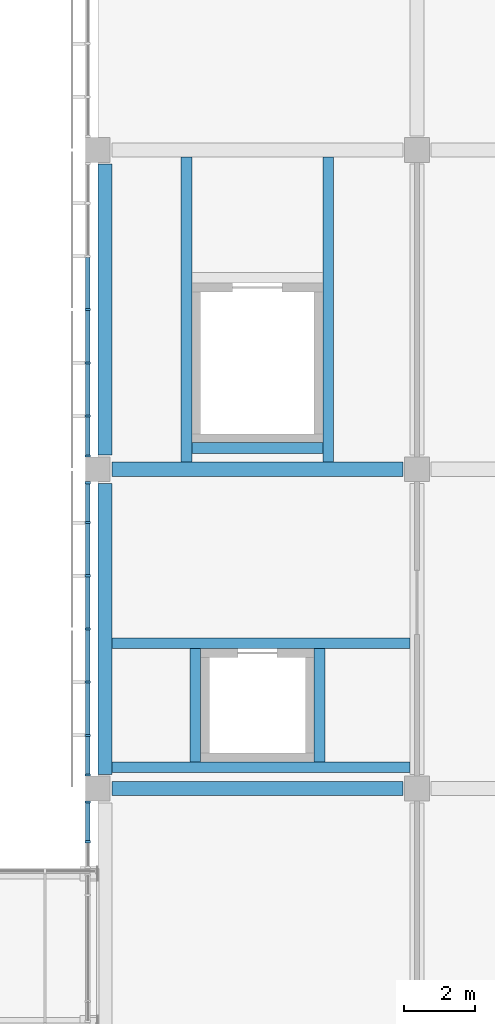
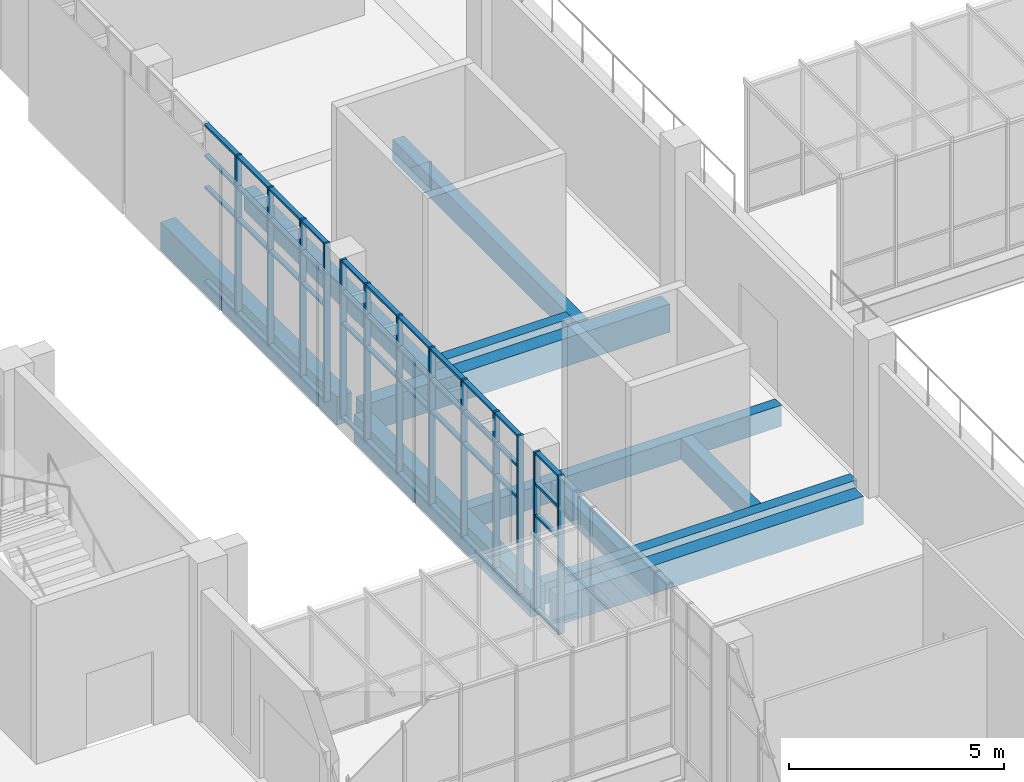
# One storey, part 20 of 106: 57 members, 11 beams, 3 elements without a shape of their own.
"""IFC4 building model written with IfcOpenShell, lengths in metres."""

from ifc_helpers import new_model, si_unit, direction, frame, origin, origin_2d, place, context, subcontext, project, spatial, rectangle, extrude, material, layer, layer_set, material_profile, profile_set, type_object, element, aggregate, save


model = new_model("IFC4")

# Units and contexts
model_context = context("Model", 3, precision=1e-05, world=origin(), true_north=direction((0.0, 1.0)))
body_context = subcontext(model_context, "Body", "Model", "MODEL_VIEW")
ifc_project = project(units=[si_unit("LENGTHUNIT", "METRE"), si_unit("AREAUNIT", "SQUARE_METRE"), si_unit("VOLUMEUNIT", "CUBIC_METRE"), si_unit("PLANEANGLEUNIT", "RADIAN"), si_unit("MASSUNIT", "GRAM", prefix="KILO")], contexts=[model_context])

# Site, building, storey
site_placement = place(None, origin())
site = spatial("IfcSite", under=ifc_project, at=site_placement, CompositionType="ELEMENT")
building_placement = place(site_placement, origin())
building = spatial("IfcBuilding", under=site, at=building_placement, Name="Guidao Yard Department Store", CompositionType="ELEMENT")
storey_placement = place(building_placement, frame((0.0, 0.0, 10.5)))
storey = spatial("IfcBuildingStorey", under=building, at=storey_placement, Name="L02", CompositionType="ELEMENT", Elevation=10.5)

# Beams
ifc_material_1 = material(Name="Concrete C40", Category="concrete")
ifc_material_profile_1 = material_profile(ifc_material_1, rectangle(XDim=0.39990234375, YDim=0.800048828125, at=origin_2d()), Name="Edge beam 400 x 800 C40")
ifc_profile_set_1 = profile_set([ifc_material_profile_1], Name="Concrete C40")
beam_type_1 = type_object("IfcBeamType", Name="Edge beam 400 x 800 C40", PredefinedType="BEAM", material=ifc_profile_set_1)
for number, where, z_axis, x_axis, name in (
    (1, (72.199951171875, 81.39990234375, -0.39990234375), (0.0, 1.0, 0.0), (-1.0, 0.0, 0.0), "Beam EB30"),
    (2, (72.199951171875, 90.39990234375, -0.39990234375), (0.0, 1.0, 0.0), (-1.0, 0.0, 0.0), "Beam EB31"),
    (3, (72.39990234375, 81.0, -0.39990234375), (1.0, 0.0, 0.0), (0.0, 1.0, 0.0), "Beam EB80"),
    (4, (72.39990234375, 90.0, -0.39990234375), (1.0, 0.0, 0.0), (0.0, 1.0, 0.0), "Beam EB81"),
):
    element("IfcBeam", number, at=place(storey_placement, frame(where, z_axis=z_axis, x_axis=x_axis)), inside=storey, type_object=beam_type_1, Name=name, PredefinedType="BEAM", context=body_context, shape_type="SweptSolid", body=[
        extrude(rectangle(XDim=0.39990234375, YDim=0.800048828125, at=origin_2d()), origin(), (0.0, 0.0, 1.0), 8.2001953125),
    ])

# Curtain wall, members
ifc_material_2 = material(Name="Aluminium and glass", Category="aluminium")
ifc_layer = layer(ifc_material_2, 0.159912109375)
ifc_layer_set = layer_set([ifc_layer], Name="Shopfront curtain wall CW1 1500 module")
curtain_wall_type = type_object("IfcCurtainWallType", Name="Shopfront curtain wall CW1 1500 module", PredefinedType="NOTDEFINED", material=ifc_layer_set)
curtain_wall_1_placement = place(storey_placement, origin())
curtain_wall_1 = element("IfcCurtainWall", 5, at=curtain_wall_1_placement, inside=storey, type_object=curtain_wall_type, Name="Arcade shop front", PredefinedType="NOTDEFINED")
ifc_material_3 = material(Name="Aluminium 6063-T5", Category="aluminium")
ifc_material_profile_2 = material_profile(ifc_material_3, rectangle(XDim=0.06005859375, YDim=0.159912109375, at=origin_2d()), Name="Mullion M1 60 x 160 aluminium pressure plate")
ifc_profile_set_2 = profile_set([ifc_material_profile_2], Name="Aluminium 6063-T5")
member_type_1 = type_object("IfcMemberType", Name="Mullion M1 60 x 160 aluminium pressure plate", PredefinedType="MULLION", material=ifc_profile_set_2)
member_1_placement = place(storey_placement, frame((71.719970703125, 79.5, 0.0), z_axis=(0.0, 0.0, 1.0), x_axis=(0.0, 1.0, 0.0)))
member_1 = element("IfcMember", 6, at=member_1_placement, type_object=member_type_1, Name="CW-AS-L02-10 mullion 2", PredefinedType="MULLION", context=body_context, shape_type="SweptSolid", body=[
    extrude(rectangle(XDim=0.06005859375, YDim=0.159912109375, at=origin_2d()), origin(), (0.0, 0.0, 1.0), 4.5),
])
member_2_placement = place(storey_placement, frame((71.719970703125, 80.6201171875, 0.0), z_axis=(0.0, 0.0, 1.0), x_axis=(0.0, 1.0, 0.0)))
member_2 = element("IfcMember", 7, at=member_2_placement, type_object=member_type_1, Name="CW-AS-L02-10 mullion 3", PredefinedType="MULLION", context=body_context, shape_type="SweptSolid", body=[
    extrude(rectangle(XDim=0.06005859375, YDim=0.159912109375, at=origin_2d()), origin(), (0.0, 0.0, 1.0), 4.5),
])

curtain_wall_2_placement = place(storey_placement, origin())
curtain_wall_2 = element("IfcCurtainWall", 8, at=curtain_wall_2_placement, inside=storey, type_object=curtain_wall_type, Name="Arcade shop front", PredefinedType="NOTDEFINED")
member_3_placement = place(storey_placement, frame((71.719970703125, 81.3798828125, 0.0), z_axis=(0.0, 0.0, 1.0), x_axis=(0.0, 1.0, 0.0)))
member_3 = element("IfcMember", 9, at=member_3_placement, type_object=member_type_1, Name="CW-AS-L02-11 mullion 1", PredefinedType="MULLION", context=body_context, shape_type="SweptSolid", body=[
    extrude(rectangle(XDim=0.06005859375, YDim=0.159912109375, at=origin_2d()), origin(), (0.0, 0.0, 1.0), 4.5),
])
member_4_placement = place(storey_placement, frame((71.719970703125, 82.5, 0.0), z_axis=(0.0, 0.0, 1.0), x_axis=(0.0, 1.0, 0.0)))
member_4 = element("IfcMember", 10, at=member_4_placement, type_object=member_type_1, Name="CW-AS-L02-11 mullion 2", PredefinedType="MULLION", context=body_context, shape_type="SweptSolid", body=[
    extrude(rectangle(XDim=0.06005859375, YDim=0.159912109375, at=origin_2d()), origin(), (0.0, 0.0, 1.0), 4.5),
])
member_5_placement = place(storey_placement, frame((71.719970703125, 84.0, 0.0), z_axis=(0.0, 0.0, 1.0), x_axis=(0.0, 1.0, 0.0)))
member_5 = element("IfcMember", 11, at=member_5_placement, type_object=member_type_1, Name="CW-AS-L02-11 mullion 3", PredefinedType="MULLION", context=body_context, shape_type="SweptSolid", body=[
    extrude(rectangle(XDim=0.06005859375, YDim=0.159912109375, at=origin_2d()), origin(), (0.0, 0.0, 1.0), 4.5),
])
member_6_placement = place(storey_placement, frame((71.719970703125, 85.5, 0.0), z_axis=(0.0, 0.0, 1.0), x_axis=(0.0, 1.0, 0.0)))
member_6 = element("IfcMember", 12, at=member_6_placement, type_object=member_type_1, Name="CW-AS-L02-11 mullion 4", PredefinedType="MULLION", context=body_context, shape_type="SweptSolid", body=[
    extrude(rectangle(XDim=0.06005859375, YDim=0.159912109375, at=origin_2d()), origin(), (0.0, 0.0, 1.0), 4.5),
])
member_7_placement = place(storey_placement, frame((71.719970703125, 87.0, 0.0), z_axis=(0.0, 0.0, 1.0), x_axis=(0.0, 1.0, 0.0)))
member_7 = element("IfcMember", 13, at=member_7_placement, type_object=member_type_1, Name="CW-AS-L02-11 mullion 5", PredefinedType="MULLION", context=body_context, shape_type="SweptSolid", body=[
    extrude(rectangle(XDim=0.06005859375, YDim=0.159912109375, at=origin_2d()), origin(), (0.0, 0.0, 1.0), 4.5),
])
member_8_placement = place(storey_placement, frame((71.719970703125, 88.5, 0.0), z_axis=(0.0, 0.0, 1.0), x_axis=(0.0, 1.0, 0.0)))
member_8 = element("IfcMember", 14, at=member_8_placement, type_object=member_type_1, Name="CW-AS-L02-11 mullion 6", PredefinedType="MULLION", context=body_context, shape_type="SweptSolid", body=[
    extrude(rectangle(XDim=0.06005859375, YDim=0.159912109375, at=origin_2d()), origin(), (0.0, 0.0, 1.0), 4.5),
])
member_9_placement = place(storey_placement, frame((71.719970703125, 89.6201171875, 0.0), z_axis=(0.0, 0.0, 1.0), x_axis=(0.0, 1.0, 0.0)))
member_9 = element("IfcMember", 15, at=member_9_placement, type_object=member_type_1, Name="CW-AS-L02-11 mullion 7", PredefinedType="MULLION", context=body_context, shape_type="SweptSolid", body=[
    extrude(rectangle(XDim=0.06005859375, YDim=0.159912109375, at=origin_2d()), origin(), (0.0, 0.0, 1.0), 4.5),
])

curtain_wall_3_placement = place(storey_placement, origin())
curtain_wall_3 = element("IfcCurtainWall", 16, at=curtain_wall_3_placement, inside=storey, type_object=curtain_wall_type, Name="Arcade shop front", PredefinedType="NOTDEFINED")
member_10_placement = place(storey_placement, frame((71.719970703125, 90.3798828125, 0.0), z_axis=(0.0, 0.0, 1.0), x_axis=(0.0, 1.0, 0.0)))
member_10 = element("IfcMember", 17, at=member_10_placement, type_object=member_type_1, Name="CW-AS-L02-12 mullion 1", PredefinedType="MULLION", context=body_context, shape_type="SweptSolid", body=[
    extrude(rectangle(XDim=0.06005859375, YDim=0.159912109375, at=origin_2d()), origin(), (0.0, 0.0, 1.0), 4.5),
])
member_11_placement = place(storey_placement, frame((71.719970703125, 91.5, 0.0), z_axis=(0.0, 0.0, 1.0), x_axis=(0.0, 1.0, 0.0)))
member_11 = element("IfcMember", 18, at=member_11_placement, type_object=member_type_1, Name="CW-AS-L02-12 mullion 2", PredefinedType="MULLION", context=body_context, shape_type="SweptSolid", body=[
    extrude(rectangle(XDim=0.06005859375, YDim=0.159912109375, at=origin_2d()), origin(), (0.0, 0.0, 1.0), 4.5),
])
member_12_placement = place(storey_placement, frame((71.719970703125, 93.0, 0.0), z_axis=(0.0, 0.0, 1.0), x_axis=(0.0, 1.0, 0.0)))
member_12 = element("IfcMember", 19, at=member_12_placement, type_object=member_type_1, Name="CW-AS-L02-12 mullion 3", PredefinedType="MULLION", context=body_context, shape_type="SweptSolid", body=[
    extrude(rectangle(XDim=0.06005859375, YDim=0.159912109375, at=origin_2d()), origin(), (0.0, 0.0, 1.0), 4.5),
])
member_13_placement = place(storey_placement, frame((71.719970703125, 94.5, 0.0), z_axis=(0.0, 0.0, 1.0), x_axis=(0.0, 1.0, 0.0)))
member_13 = element("IfcMember", 20, at=member_13_placement, type_object=member_type_1, Name="CW-AS-L02-12 mullion 4", PredefinedType="MULLION", context=body_context, shape_type="SweptSolid", body=[
    extrude(rectangle(XDim=0.06005859375, YDim=0.159912109375, at=origin_2d()), origin(), (0.0, 0.0, 1.0), 4.5),
])

# Beams
ifc_material_4 = material(Name="Concrete C40", Category="concrete")
ifc_material_profile_3 = material_profile(ifc_material_4, rectangle(XDim=0.300048828125, YDim=0.60009765625, at=origin_2d()), Name="Opening beam 300 x 600 C40")
ifc_profile_set_3 = profile_set([ifc_material_profile_3], Name="Concrete C40")
beam_type_2 = type_object("IfcBeamType", Name="Opening beam 300 x 600 C40", PredefinedType="BEAM", material=ifc_profile_set_3)
for number, where, z_axis, x_axis, name in (
    (21, (72.39990234375, 81.60009765625, -0.300048828125), (1.0, 0.0, 0.0), (0.0, 1.0, 0.0), "Beam OB25"),
    (22, (72.39990234375, 85.10009765625, -0.300048828125), (1.0, 0.0, 0.0), (0.0, 1.0, 0.0), "Beam OB26"),
):
    element("IfcBeam", number, at=place(storey_placement, frame(where, z_axis=z_axis, x_axis=x_axis)), inside=storey, type_object=beam_type_2, Name=name, PredefinedType="BEAM", context=body_context, shape_type="SweptSolid", body=[
        extrude(rectangle(XDim=0.300048828125, YDim=0.60009765625, at=origin_2d()), origin(), (0.0, 0.0, 1.0), 8.400146484375),
    ])
for number, where, z_axis, x_axis, name in (
    (23, (74.75, 81.75, -0.300048828125), (0.0, 1.0, 0.0), (-1.0, 0.0, 0.0), "Beam OB27"),
    (24, (78.25, 81.75, -0.300048828125), (0.0, 1.0, 0.0), (-1.0, 0.0, 0.0), "Beam OB28"),
):
    element("IfcBeam", number, at=place(storey_placement, frame(where, z_axis=z_axis, x_axis=x_axis)), inside=storey, type_object=beam_type_2, Name=name, PredefinedType="BEAM", context=body_context, shape_type="SweptSolid", body=[
        extrude(rectangle(XDim=0.300048828125, YDim=0.60009765625, at=origin_2d()), origin(), (0.0, 0.0, 1.0), 3.199951171875),
    ])
for number, where, z_axis, x_axis, name in (
    (25, (74.5, 90.199951171875, -0.300048828125), (0.0, 1.0, 0.0), (-1.0, 0.0, 0.0), "Beam OB29"),
    (26, (78.5, 90.199951171875, -0.300048828125), (0.0, 1.0, 0.0), (-1.0, 0.0, 0.0), "Beam OB30"),
):
    element("IfcBeam", number, at=place(storey_placement, frame(where, z_axis=z_axis, x_axis=x_axis)), inside=storey, type_object=beam_type_2, Name=name, PredefinedType="BEAM", context=body_context, shape_type="SweptSolid", body=[
        extrude(rectangle(XDim=0.300048828125, YDim=0.60009765625, at=origin_2d()), origin(), (0.0, 0.0, 1.0), 8.60009765625),
    ])
beam_placement = place(storey_placement, frame((74.64990234375, 90.60009765625, -0.300048828125), z_axis=(1.0, 0.0, 0.0), x_axis=(0.0, 1.0, 0.0)))
element("IfcBeam", 27, at=beam_placement, inside=storey, type_object=beam_type_2, Name="Beam OB31", PredefinedType="BEAM", context=body_context, shape_type="SweptSolid", body=[
    extrude(rectangle(XDim=0.300048828125, YDim=0.60009765625, at=origin_2d()), origin(), (0.0, 0.0, 1.0), 3.7001953125),
])

# Member
ifc_material_5 = material(Name="Aluminium 6063-T5", Category="aluminium")
ifc_material_profile_4 = material_profile(ifc_material_5, rectangle(XDim=0.1201171875, YDim=0.06005859375, at=origin_2d()), Name="Transom T1 60 x 120 aluminium pressure plate")
ifc_profile_set_4 = profile_set([ifc_material_profile_4], Name="Aluminium 6063-T5")
member_type_2 = type_object("IfcMemberType", Name="Transom T1 60 x 120 aluminium pressure plate", PredefinedType="USERDEFINED", material=ifc_profile_set_4)
member_14_placement = place(storey_placement, frame((71.719970703125, 79.530029296875, 0.030029296875), z_axis=(0.0, 1.0, 0.0), x_axis=(-1.0, 0.0, 0.0)))
member_14 = element("IfcMember", 28, at=member_14_placement, type_object=member_type_2, Name="CW-AS-L02-10 transom 2.1", ObjectType="TRANSOM", PredefinedType="USERDEFINED", context=body_context, shape_type="SweptSolid", body=[
    extrude(rectangle(XDim=0.1201171875, YDim=0.06005859375, at=origin_2d()), origin(), (0.0, 0.0, 1.0), 1.06005859375),
])

member_15_placement = place(storey_placement, frame((71.719970703125, 79.530029296875, 2.699951171875), z_axis=(0.0, 1.0, 0.0), x_axis=(-1.0, 0.0, 0.0)))
member_15 = element("IfcMember", 29, at=member_15_placement, type_object=member_type_2, Name="CW-AS-L02-10 transom 2.2", ObjectType="TRANSOM", PredefinedType="USERDEFINED", context=body_context, shape_type="SweptSolid", body=[
    extrude(rectangle(XDim=0.1201171875, YDim=0.06005859375, at=origin_2d()), origin(), (0.0, 0.0, 1.0), 1.06005859375),
])

member_16_placement = place(storey_placement, frame((71.719970703125, 79.530029296875, 3.60009765625), z_axis=(0.0, 1.0, 0.0), x_axis=(-1.0, 0.0, 0.0)))
member_16 = element("IfcMember", 30, at=member_16_placement, type_object=member_type_2, Name="CW-AS-L02-10 transom 2.3", ObjectType="TRANSOM", PredefinedType="USERDEFINED", context=body_context, shape_type="SweptSolid", body=[
    extrude(rectangle(XDim=0.1201171875, YDim=0.06005859375, at=origin_2d()), origin(), (0.0, 0.0, 1.0), 1.06005859375),
])

member_17_placement = place(storey_placement, frame((71.719970703125, 79.530029296875, 4.469970703125), z_axis=(0.0, 1.0, 0.0), x_axis=(-1.0, 0.0, 0.0)))
member_17 = element("IfcMember", 31, at=member_17_placement, type_object=member_type_2, Name="CW-AS-L02-10 transom 2.4", ObjectType="TRANSOM", PredefinedType="USERDEFINED", context=body_context, shape_type="SweptSolid", body=[
    extrude(rectangle(XDim=0.1201171875, YDim=0.06005859375, at=origin_2d()), origin(), (0.0, 0.0, 1.0), 1.06005859375),
])

aggregate(curtain_wall_1, [member_1, member_2, member_14, member_15, member_16, member_17])

member_18_placement = place(storey_placement, frame((71.719970703125, 81.409912109375, 0.030029296875), z_axis=(0.0, 1.0, 0.0), x_axis=(-1.0, 0.0, 0.0)))
member_18 = element("IfcMember", 32, at=member_18_placement, type_object=member_type_2, Name="CW-AS-L02-11 transom 1.1", ObjectType="TRANSOM", PredefinedType="USERDEFINED", context=body_context, shape_type="SweptSolid", body=[
    extrude(rectangle(XDim=0.1201171875, YDim=0.06005859375, at=origin_2d()), origin(), (0.0, 0.0, 1.0), 1.06005859375),
])

member_19_placement = place(storey_placement, frame((71.719970703125, 81.409912109375, 2.699951171875), z_axis=(0.0, 1.0, 0.0), x_axis=(-1.0, 0.0, 0.0)))
member_19 = element("IfcMember", 33, at=member_19_placement, type_object=member_type_2, Name="CW-AS-L02-11 transom 1.2", ObjectType="TRANSOM", PredefinedType="USERDEFINED", context=body_context, shape_type="SweptSolid", body=[
    extrude(rectangle(XDim=0.1201171875, YDim=0.06005859375, at=origin_2d()), origin(), (0.0, 0.0, 1.0), 1.06005859375),
])

member_20_placement = place(storey_placement, frame((71.719970703125, 81.409912109375, 3.60009765625), z_axis=(0.0, 1.0, 0.0), x_axis=(-1.0, 0.0, 0.0)))
member_20 = element("IfcMember", 34, at=member_20_placement, type_object=member_type_2, Name="CW-AS-L02-11 transom 1.3", ObjectType="TRANSOM", PredefinedType="USERDEFINED", context=body_context, shape_type="SweptSolid", body=[
    extrude(rectangle(XDim=0.1201171875, YDim=0.06005859375, at=origin_2d()), origin(), (0.0, 0.0, 1.0), 1.06005859375),
])

member_21_placement = place(storey_placement, frame((71.719970703125, 81.409912109375, 4.469970703125), z_axis=(0.0, 1.0, 0.0), x_axis=(-1.0, 0.0, 0.0)))
member_21 = element("IfcMember", 35, at=member_21_placement, type_object=member_type_2, Name="CW-AS-L02-11 transom 1.4", ObjectType="TRANSOM", PredefinedType="USERDEFINED", context=body_context, shape_type="SweptSolid", body=[
    extrude(rectangle(XDim=0.1201171875, YDim=0.06005859375, at=origin_2d()), origin(), (0.0, 0.0, 1.0), 1.06005859375),
])

member_22_placement = place(storey_placement, frame((71.719970703125, 82.530029296875, 0.030029296875), z_axis=(0.0, 1.0, 0.0), x_axis=(-1.0, 0.0, 0.0)))
member_22 = element("IfcMember", 36, at=member_22_placement, type_object=member_type_2, Name="CW-AS-L02-11 transom 2.1", ObjectType="TRANSOM", PredefinedType="USERDEFINED", context=body_context, shape_type="SweptSolid", body=[
    extrude(rectangle(XDim=0.1201171875, YDim=0.06005859375, at=origin_2d()), origin(), (0.0, 0.0, 1.0), 1.43994140625),
])

member_23_placement = place(storey_placement, frame((71.719970703125, 82.530029296875, 2.699951171875), z_axis=(0.0, 1.0, 0.0), x_axis=(-1.0, 0.0, 0.0)))
member_23 = element("IfcMember", 37, at=member_23_placement, type_object=member_type_2, Name="CW-AS-L02-11 transom 2.2", ObjectType="TRANSOM", PredefinedType="USERDEFINED", context=body_context, shape_type="SweptSolid", body=[
    extrude(rectangle(XDim=0.1201171875, YDim=0.06005859375, at=origin_2d()), origin(), (0.0, 0.0, 1.0), 1.43994140625),
])

member_24_placement = place(storey_placement, frame((71.719970703125, 82.530029296875, 3.60009765625), z_axis=(0.0, 1.0, 0.0), x_axis=(-1.0, 0.0, 0.0)))
member_24 = element("IfcMember", 38, at=member_24_placement, type_object=member_type_2, Name="CW-AS-L02-11 transom 2.3", ObjectType="TRANSOM", PredefinedType="USERDEFINED", context=body_context, shape_type="SweptSolid", body=[
    extrude(rectangle(XDim=0.1201171875, YDim=0.06005859375, at=origin_2d()), origin(), (0.0, 0.0, 1.0), 1.43994140625),
])

member_25_placement = place(storey_placement, frame((71.719970703125, 82.530029296875, 4.469970703125), z_axis=(0.0, 1.0, 0.0), x_axis=(-1.0, 0.0, 0.0)))
member_25 = element("IfcMember", 39, at=member_25_placement, type_object=member_type_2, Name="CW-AS-L02-11 transom 2.4", ObjectType="TRANSOM", PredefinedType="USERDEFINED", context=body_context, shape_type="SweptSolid", body=[
    extrude(rectangle(XDim=0.1201171875, YDim=0.06005859375, at=origin_2d()), origin(), (0.0, 0.0, 1.0), 1.43994140625),
])

member_26_placement = place(storey_placement, frame((71.719970703125, 84.030029296875, 0.030029296875), z_axis=(0.0, 1.0, 0.0), x_axis=(-1.0, 0.0, 0.0)))
member_26 = element("IfcMember", 40, at=member_26_placement, type_object=member_type_2, Name="CW-AS-L02-11 transom 3.1", ObjectType="TRANSOM", PredefinedType="USERDEFINED", context=body_context, shape_type="SweptSolid", body=[
    extrude(rectangle(XDim=0.1201171875, YDim=0.06005859375, at=origin_2d()), origin(), (0.0, 0.0, 1.0), 1.43994140625),
])

member_27_placement = place(storey_placement, frame((71.719970703125, 84.030029296875, 2.699951171875), z_axis=(0.0, 1.0, 0.0), x_axis=(-1.0, 0.0, 0.0)))
member_27 = element("IfcMember", 41, at=member_27_placement, type_object=member_type_2, Name="CW-AS-L02-11 transom 3.2", ObjectType="TRANSOM", PredefinedType="USERDEFINED", context=body_context, shape_type="SweptSolid", body=[
    extrude(rectangle(XDim=0.1201171875, YDim=0.06005859375, at=origin_2d()), origin(), (0.0, 0.0, 1.0), 1.43994140625),
])

member_28_placement = place(storey_placement, frame((71.719970703125, 84.030029296875, 3.60009765625), z_axis=(0.0, 1.0, 0.0), x_axis=(-1.0, 0.0, 0.0)))
member_28 = element("IfcMember", 42, at=member_28_placement, type_object=member_type_2, Name="CW-AS-L02-11 transom 3.3", ObjectType="TRANSOM", PredefinedType="USERDEFINED", context=body_context, shape_type="SweptSolid", body=[
    extrude(rectangle(XDim=0.1201171875, YDim=0.06005859375, at=origin_2d()), origin(), (0.0, 0.0, 1.0), 1.43994140625),
])

member_29_placement = place(storey_placement, frame((71.719970703125, 84.030029296875, 4.469970703125), z_axis=(0.0, 1.0, 0.0), x_axis=(-1.0, 0.0, 0.0)))
member_29 = element("IfcMember", 43, at=member_29_placement, type_object=member_type_2, Name="CW-AS-L02-11 transom 3.4", ObjectType="TRANSOM", PredefinedType="USERDEFINED", context=body_context, shape_type="SweptSolid", body=[
    extrude(rectangle(XDim=0.1201171875, YDim=0.06005859375, at=origin_2d()), origin(), (0.0, 0.0, 1.0), 1.43994140625),
])

member_30_placement = place(storey_placement, frame((71.719970703125, 85.530029296875, 0.030029296875), z_axis=(0.0, 1.0, 0.0), x_axis=(-1.0, 0.0, 0.0)))
member_30 = element("IfcMember", 44, at=member_30_placement, type_object=member_type_2, Name="CW-AS-L02-11 transom 4.1", ObjectType="TRANSOM", PredefinedType="USERDEFINED", context=body_context, shape_type="SweptSolid", body=[
    extrude(rectangle(XDim=0.1201171875, YDim=0.06005859375, at=origin_2d()), origin(), (0.0, 0.0, 1.0), 1.43994140625),
])

member_31_placement = place(storey_placement, frame((71.719970703125, 85.530029296875, 2.699951171875), z_axis=(0.0, 1.0, 0.0), x_axis=(-1.0, 0.0, 0.0)))
member_31 = element("IfcMember", 45, at=member_31_placement, type_object=member_type_2, Name="CW-AS-L02-11 transom 4.2", ObjectType="TRANSOM", PredefinedType="USERDEFINED", context=body_context, shape_type="SweptSolid", body=[
    extrude(rectangle(XDim=0.1201171875, YDim=0.06005859375, at=origin_2d()), origin(), (0.0, 0.0, 1.0), 1.43994140625),
])

member_32_placement = place(storey_placement, frame((71.719970703125, 85.530029296875, 3.60009765625), z_axis=(0.0, 1.0, 0.0), x_axis=(-1.0, 0.0, 0.0)))
member_32 = element("IfcMember", 46, at=member_32_placement, type_object=member_type_2, Name="CW-AS-L02-11 transom 4.3", ObjectType="TRANSOM", PredefinedType="USERDEFINED", context=body_context, shape_type="SweptSolid", body=[
    extrude(rectangle(XDim=0.1201171875, YDim=0.06005859375, at=origin_2d()), origin(), (0.0, 0.0, 1.0), 1.43994140625),
])

member_33_placement = place(storey_placement, frame((71.719970703125, 85.530029296875, 4.469970703125), z_axis=(0.0, 1.0, 0.0), x_axis=(-1.0, 0.0, 0.0)))
member_33 = element("IfcMember", 47, at=member_33_placement, type_object=member_type_2, Name="CW-AS-L02-11 transom 4.4", ObjectType="TRANSOM", PredefinedType="USERDEFINED", context=body_context, shape_type="SweptSolid", body=[
    extrude(rectangle(XDim=0.1201171875, YDim=0.06005859375, at=origin_2d()), origin(), (0.0, 0.0, 1.0), 1.43994140625),
])

member_34_placement = place(storey_placement, frame((71.719970703125, 87.030029296875, 0.030029296875), z_axis=(0.0, 1.0, 0.0), x_axis=(-1.0, 0.0, 0.0)))
member_34 = element("IfcMember", 48, at=member_34_placement, type_object=member_type_2, Name="CW-AS-L02-11 transom 5.1", ObjectType="TRANSOM", PredefinedType="USERDEFINED", context=body_context, shape_type="SweptSolid", body=[
    extrude(rectangle(XDim=0.1201171875, YDim=0.06005859375, at=origin_2d()), origin(), (0.0, 0.0, 1.0), 1.43994140625),
])

member_35_placement = place(storey_placement, frame((71.719970703125, 87.030029296875, 2.699951171875), z_axis=(0.0, 1.0, 0.0), x_axis=(-1.0, 0.0, 0.0)))
member_35 = element("IfcMember", 49, at=member_35_placement, type_object=member_type_2, Name="CW-AS-L02-11 transom 5.2", ObjectType="TRANSOM", PredefinedType="USERDEFINED", context=body_context, shape_type="SweptSolid", body=[
    extrude(rectangle(XDim=0.1201171875, YDim=0.06005859375, at=origin_2d()), origin(), (0.0, 0.0, 1.0), 1.43994140625),
])

member_36_placement = place(storey_placement, frame((71.719970703125, 87.030029296875, 3.60009765625), z_axis=(0.0, 1.0, 0.0), x_axis=(-1.0, 0.0, 0.0)))
member_36 = element("IfcMember", 50, at=member_36_placement, type_object=member_type_2, Name="CW-AS-L02-11 transom 5.3", ObjectType="TRANSOM", PredefinedType="USERDEFINED", context=body_context, shape_type="SweptSolid", body=[
    extrude(rectangle(XDim=0.1201171875, YDim=0.06005859375, at=origin_2d()), origin(), (0.0, 0.0, 1.0), 1.43994140625),
])

member_37_placement = place(storey_placement, frame((71.719970703125, 87.030029296875, 4.469970703125), z_axis=(0.0, 1.0, 0.0), x_axis=(-1.0, 0.0, 0.0)))
member_37 = element("IfcMember", 51, at=member_37_placement, type_object=member_type_2, Name="CW-AS-L02-11 transom 5.4", ObjectType="TRANSOM", PredefinedType="USERDEFINED", context=body_context, shape_type="SweptSolid", body=[
    extrude(rectangle(XDim=0.1201171875, YDim=0.06005859375, at=origin_2d()), origin(), (0.0, 0.0, 1.0), 1.43994140625),
])

member_38_placement = place(storey_placement, frame((71.719970703125, 88.530029296875, 0.030029296875), z_axis=(0.0, 1.0, 0.0), x_axis=(-1.0, 0.0, 0.0)))
member_38 = element("IfcMember", 52, at=member_38_placement, type_object=member_type_2, Name="CW-AS-L02-11 transom 6.1", ObjectType="TRANSOM", PredefinedType="USERDEFINED", context=body_context, shape_type="SweptSolid", body=[
    extrude(rectangle(XDim=0.1201171875, YDim=0.06005859375, at=origin_2d()), origin(), (0.0, 0.0, 1.0), 1.06005859375),
])

member_39_placement = place(storey_placement, frame((71.719970703125, 88.530029296875, 2.699951171875), z_axis=(0.0, 1.0, 0.0), x_axis=(-1.0, 0.0, 0.0)))
member_39 = element("IfcMember", 53, at=member_39_placement, type_object=member_type_2, Name="CW-AS-L02-11 transom 6.2", ObjectType="TRANSOM", PredefinedType="USERDEFINED", context=body_context, shape_type="SweptSolid", body=[
    extrude(rectangle(XDim=0.1201171875, YDim=0.06005859375, at=origin_2d()), origin(), (0.0, 0.0, 1.0), 1.06005859375),
])

member_40_placement = place(storey_placement, frame((71.719970703125, 88.530029296875, 3.60009765625), z_axis=(0.0, 1.0, 0.0), x_axis=(-1.0, 0.0, 0.0)))
member_40 = element("IfcMember", 54, at=member_40_placement, type_object=member_type_2, Name="CW-AS-L02-11 transom 6.3", ObjectType="TRANSOM", PredefinedType="USERDEFINED", context=body_context, shape_type="SweptSolid", body=[
    extrude(rectangle(XDim=0.1201171875, YDim=0.06005859375, at=origin_2d()), origin(), (0.0, 0.0, 1.0), 1.06005859375),
])

member_41_placement = place(storey_placement, frame((71.719970703125, 88.530029296875, 4.469970703125), z_axis=(0.0, 1.0, 0.0), x_axis=(-1.0, 0.0, 0.0)))
member_41 = element("IfcMember", 55, at=member_41_placement, type_object=member_type_2, Name="CW-AS-L02-11 transom 6.4", ObjectType="TRANSOM", PredefinedType="USERDEFINED", context=body_context, shape_type="SweptSolid", body=[
    extrude(rectangle(XDim=0.1201171875, YDim=0.06005859375, at=origin_2d()), origin(), (0.0, 0.0, 1.0), 1.06005859375),
])

aggregate(curtain_wall_2, [member_3, member_4, member_5, member_6, member_7, member_8, member_9, member_18, member_19, member_20, member_21, member_22, member_23, member_24, member_25, member_26, member_27, member_28, member_29, member_30, member_31, member_32, member_33, member_34, member_35, member_36, member_37, member_38, member_39, member_40, member_41])

member_42_placement = place(storey_placement, frame((71.719970703125, 90.409912109375, 0.030029296875), z_axis=(0.0, 1.0, 0.0), x_axis=(-1.0, 0.0, 0.0)))
member_42 = element("IfcMember", 56, at=member_42_placement, type_object=member_type_2, Name="CW-AS-L02-12 transom 1.1", ObjectType="TRANSOM", PredefinedType="USERDEFINED", context=body_context, shape_type="SweptSolid", body=[
    extrude(rectangle(XDim=0.1201171875, YDim=0.06005859375, at=origin_2d()), origin(), (0.0, 0.0, 1.0), 1.06005859375),
])

member_43_placement = place(storey_placement, frame((71.719970703125, 90.409912109375, 2.699951171875), z_axis=(0.0, 1.0, 0.0), x_axis=(-1.0, 0.0, 0.0)))
member_43 = element("IfcMember", 57, at=member_43_placement, type_object=member_type_2, Name="CW-AS-L02-12 transom 1.2", ObjectType="TRANSOM", PredefinedType="USERDEFINED", context=body_context, shape_type="SweptSolid", body=[
    extrude(rectangle(XDim=0.1201171875, YDim=0.06005859375, at=origin_2d()), origin(), (0.0, 0.0, 1.0), 1.06005859375),
])

member_44_placement = place(storey_placement, frame((71.719970703125, 90.409912109375, 3.60009765625), z_axis=(0.0, 1.0, 0.0), x_axis=(-1.0, 0.0, 0.0)))
member_44 = element("IfcMember", 58, at=member_44_placement, type_object=member_type_2, Name="CW-AS-L02-12 transom 1.3", ObjectType="TRANSOM", PredefinedType="USERDEFINED", context=body_context, shape_type="SweptSolid", body=[
    extrude(rectangle(XDim=0.1201171875, YDim=0.06005859375, at=origin_2d()), origin(), (0.0, 0.0, 1.0), 1.06005859375),
])

member_45_placement = place(storey_placement, frame((71.719970703125, 90.409912109375, 4.469970703125), z_axis=(0.0, 1.0, 0.0), x_axis=(-1.0, 0.0, 0.0)))
member_45 = element("IfcMember", 59, at=member_45_placement, type_object=member_type_2, Name="CW-AS-L02-12 transom 1.4", ObjectType="TRANSOM", PredefinedType="USERDEFINED", context=body_context, shape_type="SweptSolid", body=[
    extrude(rectangle(XDim=0.1201171875, YDim=0.06005859375, at=origin_2d()), origin(), (0.0, 0.0, 1.0), 1.06005859375),
])

member_46_placement = place(storey_placement, frame((71.719970703125, 91.530029296875, 0.030029296875), z_axis=(0.0, 1.0, 0.0), x_axis=(-1.0, 0.0, 0.0)))
member_46 = element("IfcMember", 60, at=member_46_placement, type_object=member_type_2, Name="CW-AS-L02-12 transom 2.1", ObjectType="TRANSOM", PredefinedType="USERDEFINED", context=body_context, shape_type="SweptSolid", body=[
    extrude(rectangle(XDim=0.1201171875, YDim=0.06005859375, at=origin_2d()), origin(), (0.0, 0.0, 1.0), 1.43994140625),
])

member_47_placement = place(storey_placement, frame((71.719970703125, 91.530029296875, 2.699951171875), z_axis=(0.0, 1.0, 0.0), x_axis=(-1.0, 0.0, 0.0)))
member_47 = element("IfcMember", 61, at=member_47_placement, type_object=member_type_2, Name="CW-AS-L02-12 transom 2.2", ObjectType="TRANSOM", PredefinedType="USERDEFINED", context=body_context, shape_type="SweptSolid", body=[
    extrude(rectangle(XDim=0.1201171875, YDim=0.06005859375, at=origin_2d()), origin(), (0.0, 0.0, 1.0), 1.43994140625),
])

member_48_placement = place(storey_placement, frame((71.719970703125, 91.530029296875, 3.60009765625), z_axis=(0.0, 1.0, 0.0), x_axis=(-1.0, 0.0, 0.0)))
member_48 = element("IfcMember", 62, at=member_48_placement, type_object=member_type_2, Name="CW-AS-L02-12 transom 2.3", ObjectType="TRANSOM", PredefinedType="USERDEFINED", context=body_context, shape_type="SweptSolid", body=[
    extrude(rectangle(XDim=0.1201171875, YDim=0.06005859375, at=origin_2d()), origin(), (0.0, 0.0, 1.0), 1.43994140625),
])

member_49_placement = place(storey_placement, frame((71.719970703125, 91.530029296875, 4.469970703125), z_axis=(0.0, 1.0, 0.0), x_axis=(-1.0, 0.0, 0.0)))
member_49 = element("IfcMember", 63, at=member_49_placement, type_object=member_type_2, Name="CW-AS-L02-12 transom 2.4", ObjectType="TRANSOM", PredefinedType="USERDEFINED", context=body_context, shape_type="SweptSolid", body=[
    extrude(rectangle(XDim=0.1201171875, YDim=0.06005859375, at=origin_2d()), origin(), (0.0, 0.0, 1.0), 1.43994140625),
])

member_50_placement = place(storey_placement, frame((71.719970703125, 93.030029296875, 0.030029296875), z_axis=(0.0, 1.0, 0.0), x_axis=(-1.0, 0.0, 0.0)))
member_50 = element("IfcMember", 64, at=member_50_placement, type_object=member_type_2, Name="CW-AS-L02-12 transom 3.1", ObjectType="TRANSOM", PredefinedType="USERDEFINED", context=body_context, shape_type="SweptSolid", body=[
    extrude(rectangle(XDim=0.1201171875, YDim=0.06005859375, at=origin_2d()), origin(), (0.0, 0.0, 1.0), 1.43994140625),
])

member_51_placement = place(storey_placement, frame((71.719970703125, 93.030029296875, 2.699951171875), z_axis=(0.0, 1.0, 0.0), x_axis=(-1.0, 0.0, 0.0)))
member_51 = element("IfcMember", 65, at=member_51_placement, type_object=member_type_2, Name="CW-AS-L02-12 transom 3.2", ObjectType="TRANSOM", PredefinedType="USERDEFINED", context=body_context, shape_type="SweptSolid", body=[
    extrude(rectangle(XDim=0.1201171875, YDim=0.06005859375, at=origin_2d()), origin(), (0.0, 0.0, 1.0), 1.43994140625),
])

member_52_placement = place(storey_placement, frame((71.719970703125, 93.030029296875, 3.60009765625), z_axis=(0.0, 1.0, 0.0), x_axis=(-1.0, 0.0, 0.0)))
member_52 = element("IfcMember", 66, at=member_52_placement, type_object=member_type_2, Name="CW-AS-L02-12 transom 3.3", ObjectType="TRANSOM", PredefinedType="USERDEFINED", context=body_context, shape_type="SweptSolid", body=[
    extrude(rectangle(XDim=0.1201171875, YDim=0.06005859375, at=origin_2d()), origin(), (0.0, 0.0, 1.0), 1.43994140625),
])

member_53_placement = place(storey_placement, frame((71.719970703125, 93.030029296875, 4.469970703125), z_axis=(0.0, 1.0, 0.0), x_axis=(-1.0, 0.0, 0.0)))
member_53 = element("IfcMember", 67, at=member_53_placement, type_object=member_type_2, Name="CW-AS-L02-12 transom 3.4", ObjectType="TRANSOM", PredefinedType="USERDEFINED", context=body_context, shape_type="SweptSolid", body=[
    extrude(rectangle(XDim=0.1201171875, YDim=0.06005859375, at=origin_2d()), origin(), (0.0, 0.0, 1.0), 1.43994140625),
])

member_54_placement = place(storey_placement, frame((71.719970703125, 94.530029296875, 0.030029296875), z_axis=(0.0, 1.0, 0.0), x_axis=(-1.0, 0.0, 0.0)))
member_54 = element("IfcMember", 68, at=member_54_placement, type_object=member_type_2, Name="CW-AS-L02-12 transom 4.1", ObjectType="TRANSOM", PredefinedType="USERDEFINED", context=body_context, shape_type="SweptSolid", body=[
    extrude(rectangle(XDim=0.1201171875, YDim=0.06005859375, at=origin_2d()), origin(), (0.0, 0.0, 1.0), 1.43994140625),
])

member_55_placement = place(storey_placement, frame((71.719970703125, 94.530029296875, 2.699951171875), z_axis=(0.0, 1.0, 0.0), x_axis=(-1.0, 0.0, 0.0)))
member_55 = element("IfcMember", 69, at=member_55_placement, type_object=member_type_2, Name="CW-AS-L02-12 transom 4.2", ObjectType="TRANSOM", PredefinedType="USERDEFINED", context=body_context, shape_type="SweptSolid", body=[
    extrude(rectangle(XDim=0.1201171875, YDim=0.06005859375, at=origin_2d()), origin(), (0.0, 0.0, 1.0), 1.43994140625),
])

member_56_placement = place(storey_placement, frame((71.719970703125, 94.530029296875, 3.60009765625), z_axis=(0.0, 1.0, 0.0), x_axis=(-1.0, 0.0, 0.0)))
member_56 = element("IfcMember", 70, at=member_56_placement, type_object=member_type_2, Name="CW-AS-L02-12 transom 4.3", ObjectType="TRANSOM", PredefinedType="USERDEFINED", context=body_context, shape_type="SweptSolid", body=[
    extrude(rectangle(XDim=0.1201171875, YDim=0.06005859375, at=origin_2d()), origin(), (0.0, 0.0, 1.0), 1.43994140625),
])

member_57_placement = place(storey_placement, frame((71.719970703125, 94.530029296875, 4.469970703125), z_axis=(0.0, 1.0, 0.0), x_axis=(-1.0, 0.0, 0.0)))
member_57 = element("IfcMember", 71, at=member_57_placement, type_object=member_type_2, Name="CW-AS-L02-12 transom 4.4", ObjectType="TRANSOM", PredefinedType="USERDEFINED", context=body_context, shape_type="SweptSolid", body=[
    extrude(rectangle(XDim=0.1201171875, YDim=0.06005859375, at=origin_2d()), origin(), (0.0, 0.0, 1.0), 1.43994140625),
])

aggregate(curtain_wall_3, [member_10, member_11, member_12, member_13, member_42, member_43, member_44, member_45, member_46, member_47, member_48, member_49, member_50, member_51, member_52, member_53, member_54, member_55, member_56, member_57])

save(model, "model.ifc")
